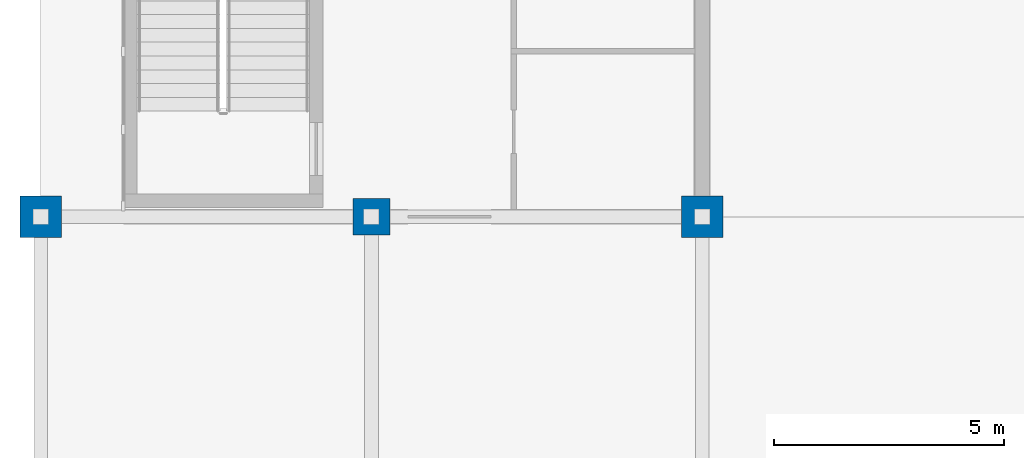
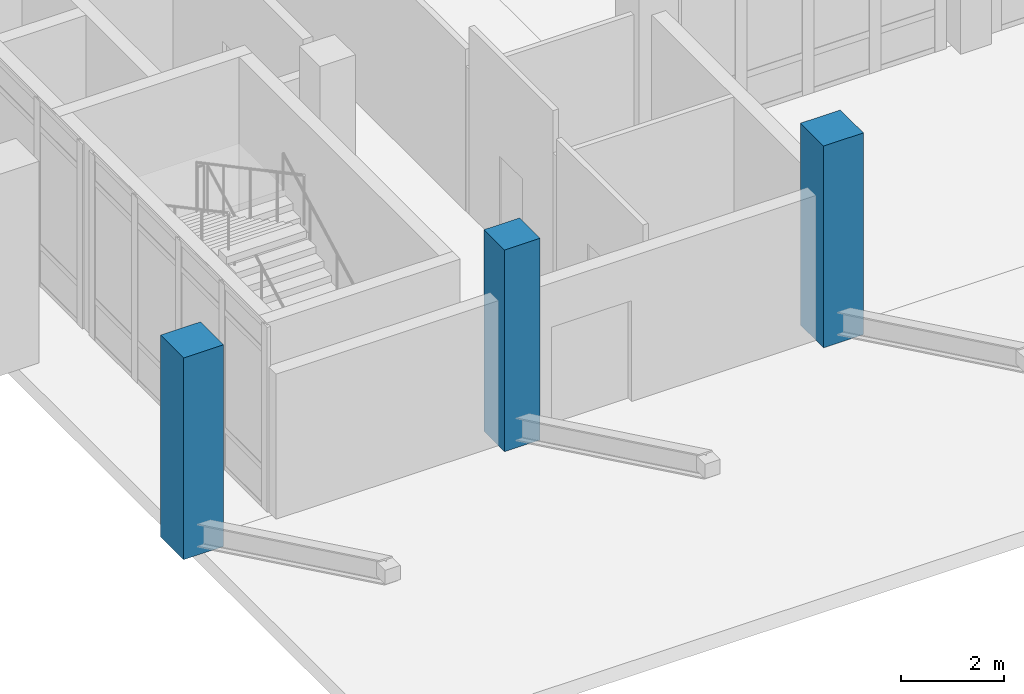
# One storey, part 1 of 59: 3 columns.
"""IFC4 building model written with IfcOpenShell, lengths in metres."""

from ifc_helpers import new_model, si_unit, direction, frame, origin, origin_2d, place, context, subcontext, project, spatial, rectangle, extrude, material, material_profile, profile_set, type_object, element, save


model = new_model("IFC4")

# Units and contexts
model_context = context("Model", 3, precision=1e-05, world=origin(), true_north=direction((0.0, 1.0)))
body_context = subcontext(model_context, "Body", "Model", "MODEL_VIEW")
ifc_project = project(units=[si_unit("LENGTHUNIT", "METRE"), si_unit("AREAUNIT", "SQUARE_METRE"), si_unit("VOLUMEUNIT", "CUBIC_METRE"), si_unit("PLANEANGLEUNIT", "RADIAN"), si_unit("MASSUNIT", "GRAM", prefix="KILO")], contexts=[model_context])

# Site, building, storey
site_placement = place(None, origin())
site = spatial("IfcSite", under=ifc_project, at=site_placement, CompositionType="ELEMENT")
building_placement = place(site_placement, origin())
building = spatial("IfcBuilding", under=site, at=building_placement, Name="Valkovuoma Quantum and Materials Research Institute", CompositionType="ELEMENT")
storey_placement = place(building_placement, origin())
storey = spatial("IfcBuildingStorey", under=building, at=storey_placement, Name="L00", CompositionType="ELEMENT", Elevation=0.0)

# Columns
ifc_material_1 = material(Name="Concrete C50/60", Category="concrete")
ifc_material_profile_1 = material_profile(ifc_material_1, rectangle(XDim=0.800048828125, YDim=0.800048828125, at=origin_2d()), Name="Concrete C50/60")
ifc_profile_set_1 = profile_set([ifc_material_profile_1], Name="Concrete C50/60")
column_type_1 = type_object("IfcColumnType", Name="Col-C-RC800", PredefinedType="COLUMN", material=ifc_profile_set_1)
column_placement = place(storey_placement, frame((7.199951171875, 28.800048828125, 0.0), z_axis=(0.0, 0.0, 1.0), x_axis=(1.0, 0.0, 0.0)))
element("IfcColumn", 1, at=column_placement, inside=storey, type_object=column_type_1, Name="L00 column 02E", PredefinedType="COLUMN", context=body_context, shape_type="SweptSolid", body=[
    extrude(rectangle(XDim=0.800048828125, YDim=0.800048828125, at=origin_2d()), origin(), (0.0, 0.0, 1.0), 4.800048828125),
])
ifc_material_2 = material(Name="Concrete C50/60", Category="concrete")
ifc_material_profile_2 = material_profile(ifc_material_2, rectangle(XDim=0.89990234375, YDim=0.89990234375, at=origin_2d()), Name="Concrete C50/60")
ifc_profile_set_2 = profile_set([ifc_material_profile_2], Name="Concrete C50/60")
column_type_2 = type_object("IfcColumnType", Name="Col-C-RC900", PredefinedType="COLUMN", material=ifc_profile_set_2)
for number, where, z_axis, x_axis, name in (
    (2, (0.0, 28.800048828125, 0.0), (0.0, 0.0, 1.0), (1.0, 0.0, 0.0), "L00 column 01E"),
    (3, (14.39990234375, 28.800048828125, 0.0), (0.0, 0.0, 1.0), (1.0, 0.0, 0.0), "L00 column 03E"),
):
    element("IfcColumn", number, at=place(storey_placement, frame(where, z_axis=z_axis, x_axis=x_axis)), inside=storey, type_object=column_type_2, Name=name, PredefinedType="COLUMN", context=body_context, shape_type="SweptSolid", body=[
        extrude(rectangle(XDim=0.89990234375, YDim=0.89990234375, at=origin_2d()), origin(), (0.0, 0.0, 1.0), 4.800048828125),
    ])

save(model, "model.ifc")
